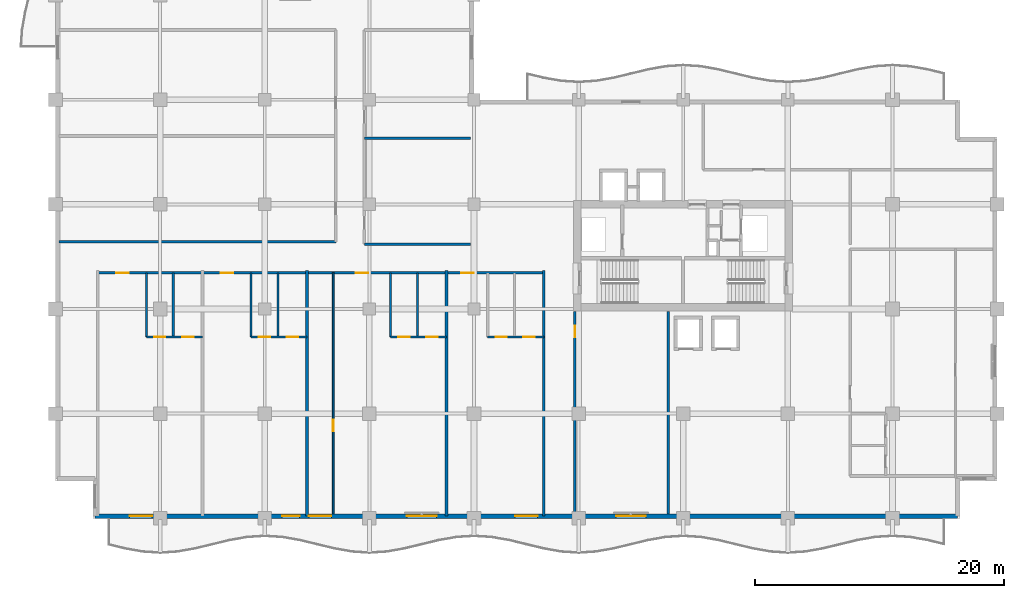
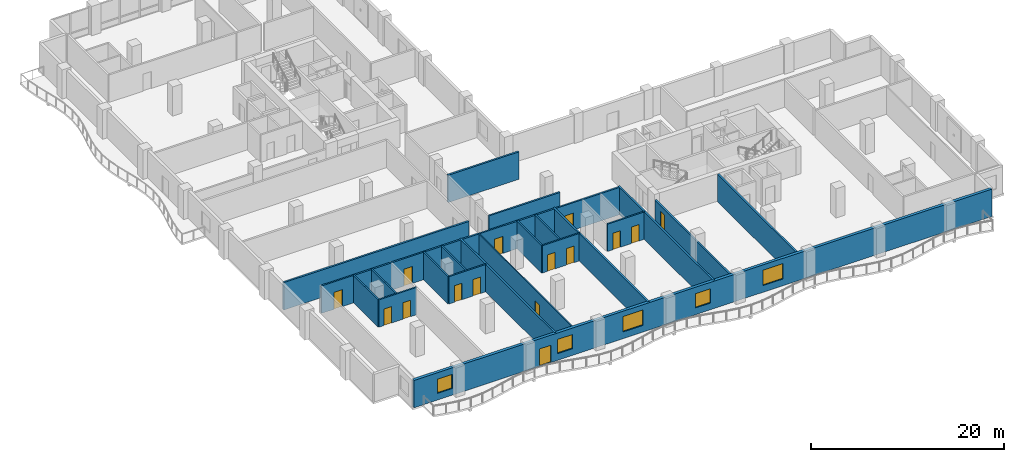
# One storey, part 7 of 18: 21 walls, 15 doors, 5 windows, 20 openings.
"""IFC4 building model written with IfcOpenShell, lengths in metres."""

import ifcopenshell
import ifcopenshell.guid

model = None  # the IFC model being written
_history = None  # IfcOwnerHistory: only IFC2X3 demands one
_inside = {}  # id of a spatial element -> (the spatial element, [elements in it])
_under = {}  # id of a project, library or spatial element -> (it, [spatial elements below it])
_declared = {}  # id of a project -> (the project, [libraries it declares])
_typed = {}  # id of a type object -> (the type object, [elements of that type])
_made_of = {}  # id of a material, layer set ... -> (it, [elements and type objects made of it])


def new_model(schema):
    """Start an empty IFC model of exactly this schema.

    Asked for "IFC4X3", IfcOpenShell would pick the latest addendum, in which some entities
    have other attributes; the version numbers below select the first issue.
    IFC2X3 requires an IfcOwnerHistory on every rooted entity: one is made here for all.
    """
    global model, _history
    if schema == "IFC4X3":
        model = ifcopenshell.file(schema_version=(4, 3, 0, 0))
    else:
        model = ifcopenshell.file(schema=schema)
    _inside.clear()
    _under.clear()
    _declared.clear()
    _typed.clear()
    _made_of.clear()
    _history = None
    if model.schema == "IFC2X3":
        org = make("IfcOrganization", Name="unknown")
        user = make(
            "IfcPersonAndOrganization",
            ThePerson=make("IfcPerson", FamilyName="unknown"),
            TheOrganization=org,
        )
        app = make(
            "IfcApplication",
            ApplicationDeveloper=org,
            Version="unknown",
            ApplicationFullName="unknown",
            ApplicationIdentifier="unknown",
        )
        _history = make(
            "IfcOwnerHistory",
            OwningUser=user,
            OwningApplication=app,
            ChangeAction="ADDED",
            CreationDate=0,
        )
    return model


def make(cls, **values):
    """One entity of the class cls with the attributes given. An attribute that is None is left unset."""
    return model.create_entity(
        cls, **{name: value for name, value in values.items() if value is not None}
    )


def rooted(cls, **values):
    """An entity with a GlobalId (a new one), such as an element, a storey or a relation."""
    return make(cls, GlobalId=ifcopenshell.guid.new(), OwnerHistory=_history, **values)


def si_unit(unit_type, name, prefix=None):
    """IfcSIUnit, for example si_unit("LENGTHUNIT", "METRE", prefix="MILLI")."""
    return make("IfcSIUnit", UnitType=unit_type, Prefix=prefix, Name=name)


def assignment(units):
    """IfcUnitAssignment: the units of a project."""
    return None if units is None else make("IfcUnitAssignment", Units=units)


def point(xyz):
    """IfcCartesianPoint."""
    return None if xyz is None else make("IfcCartesianPoint", Coordinates=xyz)


def direction(xyz):
    """IfcDirection."""
    return None if xyz is None else make("IfcDirection", DirectionRatios=xyz)


def frame(location, z_axis=None, x_axis=None):
    """IfcAxis2Placement3D, a coordinate frame: its origin and axes. An axis left out is left unset."""
    return make(
        "IfcAxis2Placement3D",
        Location=point(location),
        Axis=direction(z_axis),
        RefDirection=direction(x_axis),
    )


def frame_2d(location, x_axis=None):
    """IfcAxis2Placement2D, a coordinate frame in the plane: its origin and x axis."""
    return make(
        "IfcAxis2Placement2D", Location=point(location), RefDirection=direction(x_axis)
    )


def origin():
    """The frame at (0, 0, 0) with its axes left unset."""
    return frame((0.0, 0.0, 0.0))


def place(relative_to, where):
    """IfcLocalPlacement: puts the frame where relative to a parent placement (None: the world)."""
    return make(
        "IfcLocalPlacement", PlacementRelTo=relative_to, RelativePlacement=where
    )


def context(
    kind, dimensions, precision=None, world=None, true_north=None, identifier=None
):
    """IfcGeometricRepresentationContext, for example the 3D "Model" context."""
    return make(
        "IfcGeometricRepresentationContext",
        ContextIdentifier=identifier,
        ContextType=kind,
        CoordinateSpaceDimension=dimensions,
        Precision=precision,
        WorldCoordinateSystem=world,
        TrueNorth=true_north,
    )


def subcontext(parent, identifier, kind, view, scale=None):
    """IfcGeometricRepresentationSubContext, for example "Body" below "Model"."""
    return make(
        "IfcGeometricRepresentationSubContext",
        ContextIdentifier=identifier,
        ContextType=kind,
        ParentContext=parent,
        TargetScale=scale,
        TargetView=view,
    )


def project(units=None, contexts=None):
    """IfcProject with its units and contexts."""
    return rooted(
        "IfcProject",
        Name="project",
        RepresentationContexts=contexts,
        UnitsInContext=assignment(units),
    )


def spatial(cls, under=None, at=None, **own):
    """A site, building, storey or space (cls), placed at a placement, below another one or the project."""
    s = rooted(cls, ObjectPlacement=at, **own)
    if under is not None:
        _under.setdefault(under.id(), (under, []))[1].append(s)
    return s


def profile(cls, at=None, kind="AREA", **sizes):
    """A parametric profile (cls). Its sizes go by their IFC names, for example OverallWidth=200.0."""
    return make(cls, ProfileType=kind, Position=at, **sizes)


def rectangle(**sizes):
    """IfcRectangleProfileDef."""
    return profile("IfcRectangleProfileDef", **sizes)


def extrude(swept, where, along, depth):
    """IfcExtrudedAreaSolid: the profile swept, set in the frame where, extruded along a direction by depth."""
    return make(
        "IfcExtrudedAreaSolid",
        SweptArea=swept,
        Position=where,
        ExtrudedDirection=direction(along),
        Depth=depth,
    )


def shape(context_of_items, identifier, shape_type, items):
    """IfcShapeRepresentation: the items that make up one representation, for example the "Body"."""
    return make(
        "IfcShapeRepresentation",
        ContextOfItems=context_of_items,
        RepresentationIdentifier=identifier,
        RepresentationType=shape_type,
        Items=items,
    )


def material(Name=None, Category=None):
    """IfcMaterial."""
    return make("IfcMaterial", Name=Name, Category=Category)


def layer(
    of_material, thickness, ventilated=None, Name=None, Category=None, Priority=None
):
    """IfcMaterialLayer: one layer of a wall or slab, of a material (None: an air gap)."""
    return make(
        "IfcMaterialLayer",
        Material=of_material,
        LayerThickness=thickness,
        IsVentilated=ventilated,
        Name=Name,
        Category=Category,
        Priority=Priority,
    )


def layer_set(layers, Name=None):
    """IfcMaterialLayerSet."""
    return make("IfcMaterialLayerSet", MaterialLayers=layers, LayerSetName=Name)


def made_of(thing, what):
    """Note that an element or type object is made of a material, layer set ...; save() writes the relation."""
    if what is not None:
        _made_of.setdefault(what.id(), (what, []))[1].append(thing)
    return thing


def type_object(cls, material=None, **own):
    """A type object (cls), such as IfcWallType, which elements share."""
    return made_of(rooted(cls, **own), material)


def element(
    cls,
    number,
    at=None,
    inside=None,
    cuts=None,
    type_object=None,
    material=None,
    context=None,
    identifier="Body",
    shape_type=None,
    held_by="IfcProductDefinitionShape",
    body=None,
    shapes=None,
    **own,
):
    """One element of the class cls, such as IfcWall. Its Tag is "e" and its number.

    at: its placement. inside: the storey or other place that contains it. cuts: it is an
    opening in that element (IfcRelVoidsElement). A single representation is given by context,
    identifier, shape_type and body (its items); several are given by shapes. held_by: the class
    of the entity that holds the representations. save() writes the other relations.
    """
    e = rooted(cls, Tag="e%d" % number, ObjectPlacement=at, **own)
    if body is not None:
        shapes = [shape(context, identifier, shape_type, body)]
    if shapes is not None:
        e.Representation = make(held_by, Representations=shapes)
    if inside is not None:
        _inside.setdefault(inside.id(), (inside, []))[1].append(e)
    if cuts is not None:
        rooted(
            "IfcRelVoidsElement", RelatingBuildingElement=cuts, RelatedOpeningElement=e
        )
    if type_object is not None:
        _typed.setdefault(type_object.id(), (type_object, []))[1].append(e)
    return made_of(e, material)


def fill(opening, filler):
    """IfcRelFillsElement: the door or window that sits in an opening."""
    return rooted(
        "IfcRelFillsElement",
        RelatingOpeningElement=opening,
        RelatedBuildingElement=filler,
    )


def aggregate(whole, parts):
    """IfcRelAggregates: a whole, such as a stair, and the parts it consists of."""
    return rooted("IfcRelAggregates", RelatingObject=whole, RelatedObjects=parts)


def save(model, path):
    """Write the relations noted so far, then the file.

    IfcRelAggregates (storeys below a building ...), IfcRelContainedInSpatialStructure (elements
    in a storey), IfcRelDefinesByType, IfcRelAssociatesMaterial and IfcRelDeclares: one each for
    every whole, place, type object, material and project.
    """
    for whole, parts in _under.values():
        aggregate(whole, parts)
    for where, things in _inside.values():
        rooted(
            "IfcRelContainedInSpatialStructure",
            RelatedElements=things,
            RelatingStructure=where,
        )
    for kind, things in _typed.values():
        rooted("IfcRelDefinesByType", RelatedObjects=things, RelatingType=kind)
    for what, things in _made_of.values():
        rooted("IfcRelAssociatesMaterial", RelatedObjects=things, RelatingMaterial=what)
    for by, libraries in _declared.values():
        rooted("IfcRelDeclares", RelatingContext=by, RelatedDefinitions=libraries)
    model.write(path)


model = new_model("IFC4")

# Units and contexts
model_context = context("Model", 3, precision=1e-05, world=origin(), true_north=direction((0.0, 1.0)))
body_context = subcontext(model_context, "Body", "Model", "MODEL_VIEW")
ifc_project = project(units=[si_unit("LENGTHUNIT", "METRE"), si_unit("AREAUNIT", "SQUARE_METRE"), si_unit("VOLUMEUNIT", "CUBIC_METRE"), si_unit("PLANEANGLEUNIT", "RADIAN"), si_unit("MASSUNIT", "GRAM", prefix="KILO")], contexts=[model_context])

# Site, building, storey
site_placement = place(None, origin())
site = spatial("IfcSite", under=ifc_project, at=site_placement, CompositionType="ELEMENT")
building_placement = place(site_placement, origin())
building = spatial("IfcBuilding", under=site, at=building_placement, Name="Koriwani Terraces Tower", CompositionType="ELEMENT")
storey_placement = place(building_placement, frame((0.0, 0.0, 205.0)))
storey = spatial("IfcBuildingStorey", under=building, at=storey_placement, Name="L50", CompositionType="ELEMENT", Elevation=205.0)

# Wall, opening, door
ifc_material_1 = material(Name="Autoclaved Cellular Concrete Blockwork", Category="masonry")
ifc_layer_1 = layer(ifc_material_1, 0.199951171875, Name="Autoclaved Cellular Concrete Blockwork")
ifc_layer_set_1 = layer_set([ifc_layer_1], Name="Autoclaved Cellular Concrete Blockwork")
wall_type_1 = type_object("IfcWallType", Name="WALL_CORRIDOR_200", PredefinedType="PARTITIONING", material=ifc_layer_set_1)
wall_1_placement = place(storey_placement, frame((41.699951171875, 0.35009765625, 0.0), z_axis=(0.0, 0.0, 1.0), x_axis=(0.0, 1.0, 0.0)))
wall_1 = element("IfcWall", 1, at=wall_1_placement, inside=storey, type_object=wall_type_1, Name="L50 Interior Wall WREC-EW-L50", PredefinedType="PARTITIONING", context=body_context, shape_type="SweptSolid", body=[
    extrude(rectangle(XDim=16.25, YDim=0.199951171875, at=frame_2d((8.125, 0.0))), origin(), (0.0, 0.0, 1.0), 2.820068359375),
])
opening_1_placement = place(wall_1_placement, frame((14.199951171875, 0.0, 0.0)))
opening_1 = element("IfcOpeningElement", 2, at=opening_1_placement, cuts=wall_1, Name="Opening D-06", PredefinedType="OPENING", context=body_context, shape_type="SweptSolid", body=[
    extrude(rectangle(XDim=0.919921875, YDim=2.10009765625, at=frame_2d((0.4599609375, 1.050048828125))), frame((0.0, 0.10986328125, 0.0), z_axis=(0.0, -1.0, 0.0), x_axis=(1.0, 0.0, 0.0)), (0.0, 0.0, 1.0), 0.219970703125),
])
ifc_material_2 = material(Name="Architectural Oak Fire Door", Category="wood")
door_type_1 = type_object("IfcDoorType", Name="DOOR_ROOM_INT_920X2100", OperationType="NOTDEFINED", PredefinedType="DOOR", material=ifc_material_2)
door_1_placement = place(opening_1_placement, origin())
door_1 = element("IfcDoor", 3, at=door_1_placement, inside=storey, type_object=door_type_1, Name="L50 Resident Co-Working Study Door", OperationType="SINGLE_SWING_LEFT", OverallHeight=2.10009765625, OverallWidth=0.919921875, PredefinedType="DOOR", context=body_context, shape_type="SweptSolid", body=[
    extrude(rectangle(XDim=0.919921875, YDim=2.10009765625, at=frame_2d((0.4599609375, 1.050048828125))), frame((0.0, 0.02490234375, 0.0), z_axis=(0.0, -1.0, 0.0), x_axis=(1.0, 0.0, 0.0)), (0.0, 0.0, 1.0), 0.050048828125),
])
fill(opening_1, door_1)

# Wall
wall_2_placement = place(storey_placement, frame((24.800048828125, 22.0, 0.0), z_axis=(0.0, 0.0, 1.0), x_axis=(1.0, 0.0, 0.0)))
element("IfcWall", 4, at=wall_2_placement, inside=storey, type_object=wall_type_1, Name="L50 Interior Wall WIC2-S-L50", PredefinedType="PARTITIONING", context=body_context, shape_type="SweptSolid", body=[
    extrude(rectangle(XDim=8.5, YDim=0.199951171875, at=frame_2d((4.25, 0.0))), origin(), (0.0, 0.0, 1.0), 3.469970703125),
])

# Wall, openings, doors
wall_3_placement = place(storey_placement, frame((3.39990234375, 19.699951171875, 0.0), z_axis=(0.0, 0.0, 1.0), x_axis=(1.0, 0.0, 0.0)))
wall_3 = element("IfcWall", 5, at=wall_3_placement, inside=storey, type_object=wall_type_1, Name="L50 Interior Wall WRCOR-L50-SW-0", PredefinedType="PARTITIONING", context=body_context, shape_type="SweptSolid", body=[
    extrude(rectangle(XDim=35.800048828125, YDim=0.199951171875, at=frame_2d((17.89990234375, 0.0))), origin(), (0.0, 0.0, 1.0), 3.469970703125),
])
opening_2_placement = place(wall_3_placement, frame((1.469970703125, 0.0, 0.0)))
opening_2 = element("IfcOpeningElement", 6, at=opening_2_placement, cuts=wall_3, Name="Opening D-05", PredefinedType="OPENING", context=body_context, shape_type="SweptSolid", body=[
    extrude(rectangle(XDim=1.0, YDim=2.14990234375, at=frame_2d((0.5, 1.074951171875))), frame((0.0, 0.10986328125, 0.0), z_axis=(0.0, -1.0, 0.0), x_axis=(1.0, 0.0, 0.0)), (0.0, 0.0, 1.0), 0.219970703125),
])
opening_3_placement = place(wall_3_placement, frame((9.8701171875, 0.0, 0.0)))
opening_3 = element("IfcOpeningElement", 7, at=opening_3_placement, cuts=wall_3, Name="Opening D-05", PredefinedType="OPENING", context=body_context, shape_type="SweptSolid", body=[
    extrude(rectangle(XDim=1.0, YDim=2.14990234375, at=frame_2d((0.5, 1.074951171875))), frame((0.0, 0.10986328125, 0.0), z_axis=(0.0, -1.0, 0.0), x_axis=(1.0, 0.0, 0.0)), (0.0, 0.0, 1.0), 0.219970703125),
])
opening_4_placement = place(wall_3_placement, frame((20.719970703125, 0.0, 0.0)))
opening_4 = element("IfcOpeningElement", 8, at=opening_4_placement, cuts=wall_3, Name="Opening D-05", PredefinedType="OPENING", context=body_context, shape_type="SweptSolid", body=[
    extrude(rectangle(XDim=1.0, YDim=2.14990234375, at=frame_2d((0.5, 1.074951171875))), frame((0.0, 0.10986328125, 0.0), z_axis=(0.0, -1.0, 0.0), x_axis=(1.0, 0.0, 0.0)), (0.0, 0.0, 1.0), 0.219970703125),
])
opening_5_placement = place(wall_3_placement, frame((29.169921875, 0.0, 0.0)))
opening_5 = element("IfcOpeningElement", 9, at=opening_5_placement, cuts=wall_3, Name="Opening D-05", PredefinedType="OPENING", context=body_context, shape_type="SweptSolid", body=[
    extrude(rectangle(XDim=1.0, YDim=2.14990234375, at=frame_2d((0.5, 1.074951171875))), frame((0.0, 0.10986328125, 0.0), z_axis=(0.0, -1.0, 0.0), x_axis=(1.0, 0.0, 0.0)), (0.0, 0.0, 1.0), 0.219970703125),
])
door_type_2 = type_object("IfcDoorType", Name="DOOR_SUITE_ENTRY_1000X2150", OperationType="NOTDEFINED", PredefinedType="DOOR", material=ifc_material_2)
door_2_placement = place(opening_2_placement, origin())
door_2 = element("IfcDoor", 10, at=door_2_placement, inside=storey, type_object=door_type_2, Name="Apartment 50SW1 Entrance Door", OperationType="SINGLE_SWING_RIGHT", OverallHeight=2.14990234375, OverallWidth=1.0, PredefinedType="DOOR", context=body_context, shape_type="SweptSolid", body=[
    extrude(rectangle(XDim=1.0, YDim=2.14990234375, at=frame_2d((0.5, 1.074951171875))), frame((0.0, 0.02490234375, 0.0), z_axis=(0.0, -1.0, 0.0), x_axis=(1.0, 0.0, 0.0)), (0.0, 0.0, 1.0), 0.050048828125),
])
fill(opening_2, door_2)
door_3_placement = place(opening_3_placement, origin())
door_3 = element("IfcDoor", 11, at=door_3_placement, inside=storey, type_object=door_type_2, Name="Apartment 50SW2 Entrance Door", OperationType="SINGLE_SWING_LEFT", OverallHeight=2.14990234375, OverallWidth=1.0, PredefinedType="DOOR", context=body_context, shape_type="SweptSolid", body=[
    extrude(rectangle(XDim=1.0, YDim=2.14990234375, at=frame_2d((0.5, 1.074951171875))), frame((0.0, 0.02490234375, 0.0), z_axis=(0.0, -1.0, 0.0), x_axis=(1.0, 0.0, 0.0)), (0.0, 0.0, 1.0), 0.050048828125),
])
fill(opening_3, door_3)
door_4_placement = place(opening_4_placement, origin())
door_4 = element("IfcDoor", 12, at=door_4_placement, inside=storey, type_object=door_type_2, Name="Apartment 50SW3 Entrance Door", OperationType="SINGLE_SWING_RIGHT", OverallHeight=2.14990234375, OverallWidth=1.0, PredefinedType="DOOR", context=body_context, shape_type="SweptSolid", body=[
    extrude(rectangle(XDim=1.0, YDim=2.14990234375, at=frame_2d((0.5, 1.074951171875))), frame((0.0, 0.02490234375, 0.0), z_axis=(0.0, -1.0, 0.0), x_axis=(1.0, 0.0, 0.0)), (0.0, 0.0, 1.0), 0.050048828125),
])
fill(opening_4, door_4)
door_5_placement = place(opening_5_placement, origin())
door_5 = element("IfcDoor", 13, at=door_5_placement, inside=storey, type_object=door_type_2, Name="Apartment 50SW4 Entrance Door", OperationType="SINGLE_SWING_RIGHT", OverallHeight=2.14990234375, OverallWidth=1.0, PredefinedType="DOOR", context=body_context, shape_type="SweptSolid", body=[
    extrude(rectangle(XDim=1.0, YDim=2.14990234375, at=frame_2d((0.5, 1.074951171875))), frame((0.0, 0.02490234375, 0.0), z_axis=(0.0, -1.0, 0.0), x_axis=(1.0, 0.0, 0.0)), (0.0, 0.0, 1.0), 0.050048828125),
])
fill(opening_5, door_5)

# Walls
ifc_layer_2 = layer(ifc_material_1, 0.219970703125, Name="Autoclaved Cellular Concrete Blockwork")
ifc_layer_set_2 = layer_set([ifc_layer_2], Name="Autoclaved Cellular Concrete Blockwork")
wall_type_2 = type_object("IfcWallType", Name="WALL_DEMISING_220", PredefinedType="PARTITIONING", material=ifc_layer_set_2)
wall_4_placement = place(storey_placement, frame((49.199951171875, 0.35009765625, 0.0), z_axis=(0.0, 0.0, 1.0), x_axis=(0.0, 1.0, 0.0)))
element("IfcWall", 14, at=wall_4_placement, inside=storey, type_object=wall_type_2, Name="L50 Interior Wall WREC-EE-L50", PredefinedType="PARTITIONING", context=body_context, shape_type="SweptSolid", body=[
    extrude(rectangle(XDim=16.25, YDim=0.219970703125, at=frame_2d((8.125, 0.0))), origin(), (0.0, 0.0, 1.0), 3.469970703125),
])
wall_5_placement = place(storey_placement, frame((24.800048828125, 30.5, 0.0), z_axis=(0.0, 0.0, 1.0), x_axis=(1.0, 0.0, 0.0)))
element("IfcWall", 15, at=wall_5_placement, inside=storey, type_object=wall_type_2, Name="L50 Interior Wall WIC2-M-L50", PredefinedType="PARTITIONING", context=body_context, shape_type="SweptSolid", body=[
    extrude(rectangle(XDim=8.5, YDim=0.219970703125, at=frame_2d((4.25, 0.0))), origin(), (0.0, 0.0, 1.0), 3.469970703125),
])
for number, where, z_axis, x_axis, name in (
    (16, (20.199951171875, 0.199951171875, 0.0), (0.0, 0.0, 1.0), (0.0, 1.0, 0.0), "L50 Interior Wall WRDEM-L50-SW-2"),
    (17, (31.39990234375, 0.199951171875, 0.0), (0.0, 0.0, 1.0), (0.0, 1.0, 0.0), "L50 Interior Wall WRDEM-L50-SW-3"),
    (18, (39.199951171875, 0.199951171875, 0.0), (0.0, 0.0, 1.0), (0.0, 1.0, 0.0), "L50 Interior Wall WRDEME-L50-SW"),
):
    element("IfcWall", number, at=place(storey_placement, frame(where, z_axis=z_axis, x_axis=x_axis)), inside=storey, type_object=wall_type_2, Name=name, PredefinedType="PARTITIONING", context=body_context, shape_type="SweptSolid", body=[
        extrude(rectangle(XDim=19.679931640625, YDim=0.219970703125, at=frame_2d((9.83984375, 0.0))), origin(), (0.0, 0.0, 1.0), 3.469970703125),
    ])
wall_6_placement = place(storey_placement, frame((0.300048828125, 22.199951171875, 0.0), z_axis=(0.0, 0.0, 1.0), x_axis=(1.0, 0.0, 0.0)))
element("IfcWall", 19, at=wall_6_placement, inside=storey, type_object=wall_type_2, Name="L50 Interior Wall WNW3S-L50", PredefinedType="PARTITIONING", context=body_context, shape_type="SweptSolid", body=[
    extrude(rectangle(XDim=22.199951171875, YDim=0.219970703125, at=frame_2d((11.10009765625, 0.0))), origin(), (0.0, 0.0, 1.0), 3.469970703125),
])

# Wall, openings, door, windows
ifc_material_3 = material(Name="Concrete C50/60", Category="concrete")
ifc_layer_3 = layer(ifc_material_3, 0.35009765625, Name="Concrete C50/60")
ifc_layer_set_3 = layer_set([ifc_layer_3], Name="Concrete C50/60")
wall_type_3 = type_object("IfcWallType", Name="WALL_EXT_BRUTALIST_350", PredefinedType="STANDARD", material=ifc_layer_set_3)
wall_7_placement = place(storey_placement, frame((72.425048828125, 0.175048828125, 0.0), z_axis=(0.0, 0.0, 1.0), x_axis=(-1.0, 0.0, 0.0)))
wall_7 = element("IfcWall", 20, at=wall_7_placement, inside=storey, type_object=wall_type_3, Name="L50 Fair-Faced Brutalist Exterior Wall (S)", PredefinedType="STANDARD", context=body_context, shape_type="SweptSolid", body=[
    extrude(rectangle(XDim=69.25, YDim=0.35009765625, at=frame_2d((34.625, 0.0))), origin(), (0.0, 0.0, 1.0), 3.469970703125),
])
opening_6_placement = place(wall_7_placement, frame((52.824951171875, 0.0, 0.0)))
opening_6 = element("IfcOpeningElement", 21, at=opening_6_placement, cuts=wall_7, Name="Opening D-09", PredefinedType="OPENING", context=body_context, shape_type="SweptSolid", body=[
    extrude(rectangle(XDim=1.39990234375, YDim=2.199951171875, at=frame_2d((0.699951171875, 1.10009765625))), frame((0.0, 0.18505859375, 0.0), z_axis=(0.0, -1.0, 0.0), x_axis=(1.0, 0.0, 0.0)), (0.0, 0.0, 1.0), 0.3701171875),
])
opening_7_placement = place(wall_7_placement, frame((41.824951171875, 0.0, 0.85009765625)))
opening_7 = element("IfcOpeningElement", 22, at=opening_7_placement, cuts=wall_7, Name="Opening W-03", PredefinedType="OPENING", context=body_context, shape_type="SweptSolid", body=[
    extrude(rectangle(XDim=2.39990234375, YDim=1.949951171875, at=frame_2d((1.199951171875, 0.97509765625))), frame((0.0, 0.18505859375, 0.0), z_axis=(0.0, -1.0, 0.0), x_axis=(1.0, 0.0, 0.0)), (0.0, 0.0, 1.0), 0.3701171875),
])
opening_8_placement = place(wall_7_placement, frame((33.72509765625, 0.0, 0.85009765625)))
opening_8 = element("IfcOpeningElement", 23, at=opening_8_placement, cuts=wall_7, Name="Opening W-04", PredefinedType="OPENING", context=body_context, shape_type="SweptSolid", body=[
    extrude(rectangle(XDim=1.800048828125, YDim=1.800048828125, at=frame_2d((0.89990234375, 0.89990234375))), frame((0.0, 0.18505859375, 0.0), z_axis=(0.0, -1.0, 0.0), x_axis=(1.0, 0.0, 0.0)), (0.0, 0.0, 1.0), 0.3701171875),
])
opening_9_placement = place(wall_7_placement, frame((25.02490234375, 0.0, 0.85009765625)))
opening_9 = element("IfcOpeningElement", 24, at=opening_9_placement, cuts=wall_7, Name="Opening W-03", PredefinedType="OPENING", context=body_context, shape_type="SweptSolid", body=[
    extrude(rectangle(XDim=2.39990234375, YDim=1.949951171875, at=frame_2d((1.199951171875, 0.97509765625))), frame((0.0, 0.18505859375, 0.0), z_axis=(0.0, -1.0, 0.0), x_axis=(1.0, 0.0, 0.0)), (0.0, 0.0, 1.0), 0.3701171875),
])
opening_10_placement = place(wall_7_placement, frame((64.675048828125, 0.0, 0.85009765625)))
opening_10 = element("IfcOpeningElement", 25, at=opening_10_placement, cuts=wall_7, Name="Opening W-04", PredefinedType="OPENING", context=body_context, shape_type="SweptSolid", body=[
    extrude(rectangle(XDim=1.800048828125, YDim=1.800048828125, at=frame_2d((0.89990234375, 0.89990234375))), frame((0.0, 0.18505859375, 0.0), z_axis=(0.0, -1.0, 0.0), x_axis=(1.0, 0.0, 0.0)), (0.0, 0.0, 1.0), 0.3701171875),
])
opening_11_placement = place(wall_7_placement, frame((50.27490234375, 0.0, 0.85009765625)))
opening_11 = element("IfcOpeningElement", 26, at=opening_11_placement, cuts=wall_7, Name="Opening W-04", PredefinedType="OPENING", context=body_context, shape_type="SweptSolid", body=[
    extrude(rectangle(XDim=1.800048828125, YDim=1.800048828125, at=frame_2d((0.89990234375, 0.89990234375))), frame((0.0, 0.18505859375, 0.0), z_axis=(0.0, -1.0, 0.0), x_axis=(1.0, 0.0, 0.0)), (0.0, 0.0, 1.0), 0.3701171875),
])
ifc_material_4 = material(Name="Anodised Bronze Aluminium", Category="aluminium")
door_type_3 = type_object("IfcDoorType", Name="DOOR_BALCONY_GLAZED_1400X2200", OperationType="NOTDEFINED", PredefinedType="DOOR", material=ifc_material_4)
door_6_placement = place(opening_6_placement, origin())
door_6 = element("IfcDoor", 27, at=door_6_placement, inside=storey, type_object=door_type_3, Name="L50 South Balcony Glazed Door", OperationType="SINGLE_SWING_LEFT", OverallHeight=2.199951171875, OverallWidth=1.39990234375, PredefinedType="DOOR", context=body_context, shape_type="SweptSolid", body=[
    extrude(rectangle(XDim=1.39990234375, YDim=2.199951171875, at=frame_2d((0.699951171875, 1.10009765625))), frame((0.0, 0.02490234375, 0.0), z_axis=(0.0, -1.0, 0.0), x_axis=(1.0, 0.0, 0.0)), (0.0, 0.0, 1.0), 0.050048828125),
])
fill(opening_6, door_6)
ifc_material_5 = material(Name="Tempered Laminated Low-E Glass", Category="glass")
window_type_1 = type_object("IfcWindowType", Name="WIN_RES_BED_1800X1800", PartitioningType="DOUBLE_PANEL_VERTICAL", PredefinedType="WINDOW", material=ifc_material_5)
window_1_placement = place(opening_8_placement, origin())
window_1 = element("IfcWindow", 28, at=window_1_placement, inside=storey, type_object=window_type_1, Name="L50 Exterior Window (S-12)", OverallHeight=1.800048828125, OverallWidth=1.800048828125, PartitioningType="SINGLE_PANEL", PredefinedType="WINDOW", context=body_context, shape_type="SweptSolid", body=[
    extrude(rectangle(XDim=1.800048828125, YDim=1.800048828125, at=frame_2d((0.89990234375, 0.89990234375))), frame((0.0, 0.030029296875, 0.0), z_axis=(0.0, -1.0, 0.0), x_axis=(1.0, 0.0, 0.0)), (0.0, 0.0, 1.0), 0.06005859375),
])
fill(opening_8, window_1)
window_2_placement = place(opening_10_placement, origin())
window_2 = element("IfcWindow", 29, at=window_2_placement, inside=storey, type_object=window_type_1, Name="L50 Exterior Window (S-R34)", OverallHeight=1.800048828125, OverallWidth=1.800048828125, PartitioningType="SINGLE_PANEL", PredefinedType="WINDOW", context=body_context, shape_type="SweptSolid", body=[
    extrude(rectangle(XDim=1.800048828125, YDim=1.800048828125, at=frame_2d((0.89990234375, 0.89990234375))), frame((0.0, 0.030029296875, 0.0), z_axis=(0.0, -1.0, 0.0), x_axis=(1.0, 0.0, 0.0)), (0.0, 0.0, 1.0), 0.06005859375),
])
fill(opening_10, window_2)
window_3_placement = place(opening_11_placement, origin())
window_3 = element("IfcWindow", 30, at=window_3_placement, inside=storey, type_object=window_type_1, Name="L50 Exterior Window (S-R40)", OverallHeight=1.800048828125, OverallWidth=1.800048828125, PartitioningType="SINGLE_PANEL", PredefinedType="WINDOW", context=body_context, shape_type="SweptSolid", body=[
    extrude(rectangle(XDim=1.800048828125, YDim=1.800048828125, at=frame_2d((0.89990234375, 0.89990234375))), frame((0.0, 0.030029296875, 0.0), z_axis=(0.0, -1.0, 0.0), x_axis=(1.0, 0.0, 0.0)), (0.0, 0.0, 1.0), 0.06005859375),
])
fill(opening_11, window_3)
window_type_2 = type_object("IfcWindowType", Name="WIN_RES_LIVING_2400X1950", PartitioningType="DOUBLE_PANEL_VERTICAL", PredefinedType="WINDOW", material=ifc_material_5)
window_4_placement = place(opening_7_placement, origin())
window_4 = element("IfcWindow", 31, at=window_4_placement, inside=storey, type_object=window_type_2, Name="L50 Exterior Window (S-9)", OverallHeight=1.949951171875, OverallWidth=2.39990234375, PartitioningType="SINGLE_PANEL", PredefinedType="WINDOW", context=body_context, shape_type="SweptSolid", body=[
    extrude(rectangle(XDim=2.39990234375, YDim=1.949951171875, at=frame_2d((1.199951171875, 0.97509765625))), frame((0.0, 0.030029296875, 0.0), z_axis=(0.0, -1.0, 0.0), x_axis=(1.0, 0.0, 0.0)), (0.0, 0.0, 1.0), 0.06005859375),
])
fill(opening_7, window_4)
window_5_placement = place(opening_9_placement, origin())
window_5 = element("IfcWindow", 32, at=window_5_placement, inside=storey, type_object=window_type_2, Name="L50 Exterior Window (S-15)", OverallHeight=1.949951171875, OverallWidth=2.39990234375, PartitioningType="SINGLE_PANEL", PredefinedType="WINDOW", context=body_context, shape_type="SweptSolid", body=[
    extrude(rectangle(XDim=2.39990234375, YDim=1.949951171875, at=frame_2d((1.199951171875, 0.97509765625))), frame((0.0, 0.030029296875, 0.0), z_axis=(0.0, -1.0, 0.0), x_axis=(1.0, 0.0, 0.0)), (0.0, 0.0, 1.0), 0.06005859375),
])
fill(opening_9, window_5)

# Wall, opening, door
ifc_material_6 = material(Name="Fire-Rated Acoustic Gypsum Partition", Category="masonry")
ifc_layer_4 = layer(ifc_material_6, 0.125, Name="Fire-Rated Acoustic Gypsum Partition")
ifc_layer_set_4 = layer_set([ifc_layer_4], Name="Fire-Rated Acoustic Gypsum Partition")
wall_type_4 = type_object("IfcWallType", Name="WALL_INT_125", PredefinedType="PARTITIONING", material=ifc_layer_set_4)
wall_8_placement = place(storey_placement, frame((22.300048828125, 0.35009765625, 0.0), z_axis=(0.0, 0.0, 1.0), x_axis=(0.0, 1.0, 0.0)))
wall_8 = element("IfcWall", 33, at=wall_8_placement, inside=storey, type_object=wall_type_4, Name="L50 Interior Wall WRBED1-L50-SW-2", PredefinedType="PARTITIONING", context=body_context, shape_type="SweptSolid", body=[
    extrude(rectangle(XDim=19.349853515625, YDim=0.125, at=frame_2d((9.6748046875, 0.0))), origin(), (0.0, 0.0, 1.0), 3.469970703125),
])
opening_12_placement = place(wall_8_placement, frame((6.639892578125, 0.0, 0.0)))
opening_12 = element("IfcOpeningElement", 34, at=opening_12_placement, cuts=wall_8, Name="Opening D-06", PredefinedType="OPENING", context=body_context, shape_type="SweptSolid", body=[
    extrude(rectangle(XDim=0.919921875, YDim=2.10009765625, at=frame_2d((0.4599609375, 1.050048828125))), frame((0.0, 0.072509765625, 0.0), z_axis=(0.0, -1.0, 0.0), x_axis=(1.0, 0.0, 0.0)), (0.0, 0.0, 1.0), 0.14501953125),
])
door_7_placement = place(opening_12_placement, origin())
door_7 = element("IfcDoor", 35, at=door_7_placement, inside=storey, type_object=door_type_1, Name="Apartment 50SW3 Master Bedroom Door", OperationType="SINGLE_SWING_LEFT", OverallHeight=2.10009765625, OverallWidth=0.919921875, PredefinedType="DOOR", context=body_context, shape_type="SweptSolid", body=[
    extrude(rectangle(XDim=0.919921875, YDim=2.10009765625, at=frame_2d((0.4599609375, 1.050048828125))), frame((0.0, 0.02490234375, 0.0), z_axis=(0.0, -1.0, 0.0), x_axis=(1.0, 0.0, 0.0)), (0.0, 0.0, 1.0), 0.050048828125),
])
fill(opening_12, door_7)

# Wall, openings, doors
ifc_layer_5 = layer(ifc_material_6, 0.179931640625, Name="Fire-Rated Acoustic Gypsum Partition")
ifc_layer_set_5 = layer_set([ifc_layer_5], Name="Fire-Rated Acoustic Gypsum Partition")
wall_type_5 = type_object("IfcWallType", Name="WALL_PLUMBING_180", PredefinedType="PLUMBINGWALL", material=ifc_layer_set_5)
wall_9_placement = place(storey_placement, frame((7.300048828125, 14.550048828125, 0.0), z_axis=(0.0, 0.0, 1.0), x_axis=(1.0, 0.0, 0.0)))
wall_9 = element("IfcWall", 36, at=wall_9_placement, inside=storey, type_object=wall_type_5, Name="L50 Interior Wall WRSVC-L50-SW-0", PredefinedType="PLUMBINGWALL", context=body_context, shape_type="SweptSolid", body=[
    extrude(rectangle(XDim=4.5, YDim=0.179931640625, at=frame_2d((2.25, 0.0))), origin(), (0.0, 0.0, 1.0), 3.469970703125),
])
opening_13_placement = place(wall_9_placement, frame((0.6298828125, 0.0, 0.0)))
opening_13 = element("IfcOpeningElement", 37, at=opening_13_placement, cuts=wall_9, Name="Opening D-07", PredefinedType="OPENING", context=body_context, shape_type="SweptSolid", body=[
    extrude(rectangle(XDim=0.89990234375, YDim=2.10009765625, at=frame_2d((0.449951171875, 1.050048828125))), frame((0.0, 0.10009765625, 0.0), z_axis=(0.0, -1.0, 0.0), x_axis=(1.0, 0.0, 0.0)), (0.0, 0.0, 1.0), 0.199951171875),
])
opening_14_placement = place(wall_9_placement, frame((2.8701171875, 0.0, 0.0)))
opening_14 = element("IfcOpeningElement", 38, at=opening_14_placement, cuts=wall_9, Name="Opening D-06", PredefinedType="OPENING", context=body_context, shape_type="SweptSolid", body=[
    extrude(rectangle(XDim=0.919921875, YDim=2.10009765625, at=frame_2d((0.4599609375, 1.050048828125))), frame((0.0, 0.10009765625, 0.0), z_axis=(0.0, -1.0, 0.0), x_axis=(1.0, 0.0, 0.0)), (0.0, 0.0, 1.0), 0.199951171875),
])
door_type_4 = type_object("IfcDoorType", Name="DOOR_BATH_INT_900X2100", OperationType="NOTDEFINED", PredefinedType="DOOR", material=ifc_material_2)
door_8_placement = place(opening_13_placement, origin())
door_8 = element("IfcDoor", 39, at=door_8_placement, inside=storey, type_object=door_type_4, Name="Apartment 50SW1 Bathroom Door", OperationType="SINGLE_SWING_LEFT", OverallHeight=2.10009765625, OverallWidth=0.89990234375, PredefinedType="DOOR", context=body_context, shape_type="SweptSolid", body=[
    extrude(rectangle(XDim=0.89990234375, YDim=2.10009765625, at=frame_2d((0.449951171875, 1.050048828125))), frame((0.0, 0.02490234375, 0.0), z_axis=(0.0, -1.0, 0.0), x_axis=(1.0, 0.0, 0.0)), (0.0, 0.0, 1.0), 0.050048828125),
])
fill(opening_13, door_8)
door_9_placement = place(opening_14_placement, origin())
door_9 = element("IfcDoor", 40, at=door_9_placement, inside=storey, type_object=door_type_1, Name="Apartment 50SW1 Kitchen Door", OperationType="SINGLE_SWING_RIGHT", OverallHeight=2.10009765625, OverallWidth=0.919921875, PredefinedType="DOOR", context=body_context, shape_type="SweptSolid", body=[
    extrude(rectangle(XDim=0.919921875, YDim=2.10009765625, at=frame_2d((0.4599609375, 1.050048828125))), frame((0.0, 0.02490234375, 0.0), z_axis=(0.0, -1.0, 0.0), x_axis=(1.0, 0.0, 0.0)), (0.0, 0.0, 1.0), 0.050048828125),
])
fill(opening_14, door_9)

# Walls
for number, where, z_axis, x_axis, name in (
    (41, (7.300048828125, 14.550048828125, 0.0), (0.0, 0.0, 1.0), (0.0, 1.0, 0.0), "L50 Interior Wall WRSVCS-L50-SW-0"),
    (42, (9.4599609375, 14.550048828125, 0.0), (0.0, 0.0, 1.0), (0.0, 1.0, 0.0), "L50 Interior Wall WRSVCM-L50-SW-0"),
):
    element("IfcWall", number, at=place(storey_placement, frame(where, z_axis=z_axis, x_axis=x_axis)), inside=storey, type_object=wall_type_5, Name=name, PredefinedType="PLUMBINGWALL", context=body_context, shape_type="SweptSolid", body=[
        extrude(rectangle(XDim=5.14990234375, YDim=0.179931640625, at=frame_2d((2.574951171875, 0.0))), origin(), (0.0, 0.0, 1.0), 3.469970703125),
    ])

# Wall, openings, doors
wall_10_placement = place(storey_placement, frame((15.699951171875, 14.550048828125, 0.0), z_axis=(0.0, 0.0, 1.0), x_axis=(1.0, 0.0, 0.0)))
wall_10 = element("IfcWall", 43, at=wall_10_placement, inside=storey, type_object=wall_type_5, Name="L50 Interior Wall WRSVC-L50-SW-1", PredefinedType="PLUMBINGWALL", context=body_context, shape_type="SweptSolid", body=[
    extrude(rectangle(XDim=4.5, YDim=0.179931640625, at=frame_2d((2.25, 0.0))), origin(), (0.0, 0.0, 1.0), 3.469970703125),
])
opening_15_placement = place(wall_10_placement, frame((0.6298828125, 0.0, 0.0)))
opening_15 = element("IfcOpeningElement", 44, at=opening_15_placement, cuts=wall_10, Name="Opening D-07", PredefinedType="OPENING", context=body_context, shape_type="SweptSolid", body=[
    extrude(rectangle(XDim=0.89990234375, YDim=2.10009765625, at=frame_2d((0.449951171875, 1.050048828125))), frame((0.0, 0.10009765625, 0.0), z_axis=(0.0, -1.0, 0.0), x_axis=(1.0, 0.0, 0.0)), (0.0, 0.0, 1.0), 0.199951171875),
])
opening_16_placement = place(wall_10_placement, frame((2.8701171875, 0.0, 0.0)))
opening_16 = element("IfcOpeningElement", 45, at=opening_16_placement, cuts=wall_10, Name="Opening D-06", PredefinedType="OPENING", context=body_context, shape_type="SweptSolid", body=[
    extrude(rectangle(XDim=0.919921875, YDim=2.10009765625, at=frame_2d((0.4599609375, 1.050048828125))), frame((0.0, 0.10009765625, 0.0), z_axis=(0.0, -1.0, 0.0), x_axis=(1.0, 0.0, 0.0)), (0.0, 0.0, 1.0), 0.199951171875),
])
door_10_placement = place(opening_15_placement, origin())
door_10 = element("IfcDoor", 46, at=door_10_placement, inside=storey, type_object=door_type_4, Name="Apartment 50SW2 Bathroom Door", OperationType="SINGLE_SWING_RIGHT", OverallHeight=2.10009765625, OverallWidth=0.89990234375, PredefinedType="DOOR", context=body_context, shape_type="SweptSolid", body=[
    extrude(rectangle(XDim=0.89990234375, YDim=2.10009765625, at=frame_2d((0.449951171875, 1.050048828125))), frame((0.0, 0.02490234375, 0.0), z_axis=(0.0, -1.0, 0.0), x_axis=(1.0, 0.0, 0.0)), (0.0, 0.0, 1.0), 0.050048828125),
])
fill(opening_15, door_10)
door_11_placement = place(opening_16_placement, origin())
door_11 = element("IfcDoor", 47, at=door_11_placement, inside=storey, type_object=door_type_1, Name="Apartment 50SW2 Kitchen Door", OperationType="SINGLE_SWING_LEFT", OverallHeight=2.10009765625, OverallWidth=0.919921875, PredefinedType="DOOR", context=body_context, shape_type="SweptSolid", body=[
    extrude(rectangle(XDim=0.919921875, YDim=2.10009765625, at=frame_2d((0.4599609375, 1.050048828125))), frame((0.0, 0.02490234375, 0.0), z_axis=(0.0, -1.0, 0.0), x_axis=(1.0, 0.0, 0.0)), (0.0, 0.0, 1.0), 0.050048828125),
])
fill(opening_16, door_11)

# Walls
for number, where, z_axis, x_axis, name in (
    (48, (15.699951171875, 14.550048828125, 0.0), (0.0, 0.0, 1.0), (0.0, 1.0, 0.0), "L50 Interior Wall WRSVCS-L50-SW-1"),
    (49, (17.860107421875, 14.550048828125, 0.0), (0.0, 0.0, 1.0), (0.0, 1.0, 0.0), "L50 Interior Wall WRSVCM-L50-SW-1"),
):
    element("IfcWall", number, at=place(storey_placement, frame(where, z_axis=z_axis, x_axis=x_axis)), inside=storey, type_object=wall_type_5, Name=name, PredefinedType="PLUMBINGWALL", context=body_context, shape_type="SweptSolid", body=[
        extrude(rectangle(XDim=5.14990234375, YDim=0.179931640625, at=frame_2d((2.574951171875, 0.0))), origin(), (0.0, 0.0, 1.0), 3.469970703125),
    ])

# Wall, openings, doors
wall_11_placement = place(storey_placement, frame((26.89990234375, 14.550048828125, 0.0), z_axis=(0.0, 0.0, 1.0), x_axis=(1.0, 0.0, 0.0)))
wall_11 = element("IfcWall", 50, at=wall_11_placement, inside=storey, type_object=wall_type_5, Name="L50 Interior Wall WRSVC-L50-SW-2", PredefinedType="PLUMBINGWALL", context=body_context, shape_type="SweptSolid", body=[
    extrude(rectangle(XDim=4.5, YDim=0.179931640625, at=frame_2d((2.25, 0.0))), origin(), (0.0, 0.0, 1.0), 3.469970703125),
])
opening_17_placement = place(wall_11_placement, frame((0.6298828125, 0.0, 0.0)))
opening_17 = element("IfcOpeningElement", 51, at=opening_17_placement, cuts=wall_11, Name="Opening D-07", PredefinedType="OPENING", context=body_context, shape_type="SweptSolid", body=[
    extrude(rectangle(XDim=0.89990234375, YDim=2.10009765625, at=frame_2d((0.449951171875, 1.050048828125))), frame((0.0, 0.10009765625, 0.0), z_axis=(0.0, -1.0, 0.0), x_axis=(1.0, 0.0, 0.0)), (0.0, 0.0, 1.0), 0.199951171875),
])
opening_18_placement = place(wall_11_placement, frame((2.8701171875, 0.0, 0.0)))
opening_18 = element("IfcOpeningElement", 52, at=opening_18_placement, cuts=wall_11, Name="Opening D-06", PredefinedType="OPENING", context=body_context, shape_type="SweptSolid", body=[
    extrude(rectangle(XDim=0.919921875, YDim=2.10009765625, at=frame_2d((0.4599609375, 1.050048828125))), frame((0.0, 0.10009765625, 0.0), z_axis=(0.0, -1.0, 0.0), x_axis=(1.0, 0.0, 0.0)), (0.0, 0.0, 1.0), 0.199951171875),
])
door_12_placement = place(opening_17_placement, origin())
door_12 = element("IfcDoor", 53, at=door_12_placement, inside=storey, type_object=door_type_4, Name="Apartment 50SW3 Bathroom Door", OperationType="SINGLE_SWING_LEFT", OverallHeight=2.10009765625, OverallWidth=0.89990234375, PredefinedType="DOOR", context=body_context, shape_type="SweptSolid", body=[
    extrude(rectangle(XDim=0.89990234375, YDim=2.10009765625, at=frame_2d((0.449951171875, 1.050048828125))), frame((0.0, 0.02490234375, 0.0), z_axis=(0.0, -1.0, 0.0), x_axis=(1.0, 0.0, 0.0)), (0.0, 0.0, 1.0), 0.050048828125),
])
fill(opening_17, door_12)
door_13_placement = place(opening_18_placement, origin())
door_13 = element("IfcDoor", 54, at=door_13_placement, inside=storey, type_object=door_type_1, Name="Apartment 50SW3 Kitchen Door", OperationType="SINGLE_SWING_RIGHT", OverallHeight=2.10009765625, OverallWidth=0.919921875, PredefinedType="DOOR", context=body_context, shape_type="SweptSolid", body=[
    extrude(rectangle(XDim=0.919921875, YDim=2.10009765625, at=frame_2d((0.4599609375, 1.050048828125))), frame((0.0, 0.02490234375, 0.0), z_axis=(0.0, -1.0, 0.0), x_axis=(1.0, 0.0, 0.0)), (0.0, 0.0, 1.0), 0.050048828125),
])
fill(opening_18, door_13)

# Walls
for number, where, z_axis, x_axis, name in (
    (55, (26.89990234375, 14.550048828125, 0.0), (0.0, 0.0, 1.0), (0.0, 1.0, 0.0), "L50 Interior Wall WRSVCS-L50-SW-2"),
    (56, (29.06005859375, 14.550048828125, 0.0), (0.0, 0.0, 1.0), (0.0, 1.0, 0.0), "L50 Interior Wall WRSVCM-L50-SW-2"),
):
    element("IfcWall", number, at=place(storey_placement, frame(where, z_axis=z_axis, x_axis=x_axis)), inside=storey, type_object=wall_type_5, Name=name, PredefinedType="PLUMBINGWALL", context=body_context, shape_type="SweptSolid", body=[
        extrude(rectangle(XDim=5.14990234375, YDim=0.179931640625, at=frame_2d((2.574951171875, 0.0))), origin(), (0.0, 0.0, 1.0), 3.469970703125),
    ])

# Wall, openings, doors
wall_12_placement = place(storey_placement, frame((34.699951171875, 14.550048828125, 0.0), z_axis=(0.0, 0.0, 1.0), x_axis=(1.0, 0.0, 0.0)))
wall_12 = element("IfcWall", 57, at=wall_12_placement, inside=storey, type_object=wall_type_5, Name="L50 Interior Wall WRSVC-L50-SW-3", PredefinedType="PLUMBINGWALL", context=body_context, shape_type="SweptSolid", body=[
    extrude(rectangle(XDim=4.5, YDim=0.179931640625, at=frame_2d((2.25, 0.0))), origin(), (0.0, 0.0, 1.0), 3.469970703125),
])
opening_19_placement = place(wall_12_placement, frame((0.6298828125, 0.0, 0.0)))
opening_19 = element("IfcOpeningElement", 58, at=opening_19_placement, cuts=wall_12, Name="Opening D-07", PredefinedType="OPENING", context=body_context, shape_type="SweptSolid", body=[
    extrude(rectangle(XDim=0.89990234375, YDim=2.10009765625, at=frame_2d((0.449951171875, 1.050048828125))), frame((0.0, 0.10009765625, 0.0), z_axis=(0.0, -1.0, 0.0), x_axis=(1.0, 0.0, 0.0)), (0.0, 0.0, 1.0), 0.199951171875),
])
opening_20_placement = place(wall_12_placement, frame((2.8701171875, 0.0, 0.0)))
opening_20 = element("IfcOpeningElement", 59, at=opening_20_placement, cuts=wall_12, Name="Opening D-06", PredefinedType="OPENING", context=body_context, shape_type="SweptSolid", body=[
    extrude(rectangle(XDim=0.919921875, YDim=2.10009765625, at=frame_2d((0.4599609375, 1.050048828125))), frame((0.0, 0.10009765625, 0.0), z_axis=(0.0, -1.0, 0.0), x_axis=(1.0, 0.0, 0.0)), (0.0, 0.0, 1.0), 0.199951171875),
])
door_14_placement = place(opening_19_placement, origin())
door_14 = element("IfcDoor", 60, at=door_14_placement, inside=storey, type_object=door_type_4, Name="Apartment 50SW4 Bathroom Door", OperationType="SINGLE_SWING_LEFT", OverallHeight=2.10009765625, OverallWidth=0.89990234375, PredefinedType="DOOR", context=body_context, shape_type="SweptSolid", body=[
    extrude(rectangle(XDim=0.89990234375, YDim=2.10009765625, at=frame_2d((0.449951171875, 1.050048828125))), frame((0.0, 0.02490234375, 0.0), z_axis=(0.0, -1.0, 0.0), x_axis=(1.0, 0.0, 0.0)), (0.0, 0.0, 1.0), 0.050048828125),
])
fill(opening_19, door_14)
door_15_placement = place(opening_20_placement, origin())
door_15 = element("IfcDoor", 61, at=door_15_placement, inside=storey, type_object=door_type_1, Name="Apartment 50SW4 Kitchen Door", OperationType="SINGLE_SWING_RIGHT", OverallHeight=2.10009765625, OverallWidth=0.919921875, PredefinedType="DOOR", context=body_context, shape_type="SweptSolid", body=[
    extrude(rectangle(XDim=0.919921875, YDim=2.10009765625, at=frame_2d((0.4599609375, 1.050048828125))), frame((0.0, 0.02490234375, 0.0), z_axis=(0.0, -1.0, 0.0), x_axis=(1.0, 0.0, 0.0)), (0.0, 0.0, 1.0), 0.050048828125),
])
fill(opening_20, door_15)

save(model, "model.ifc")
